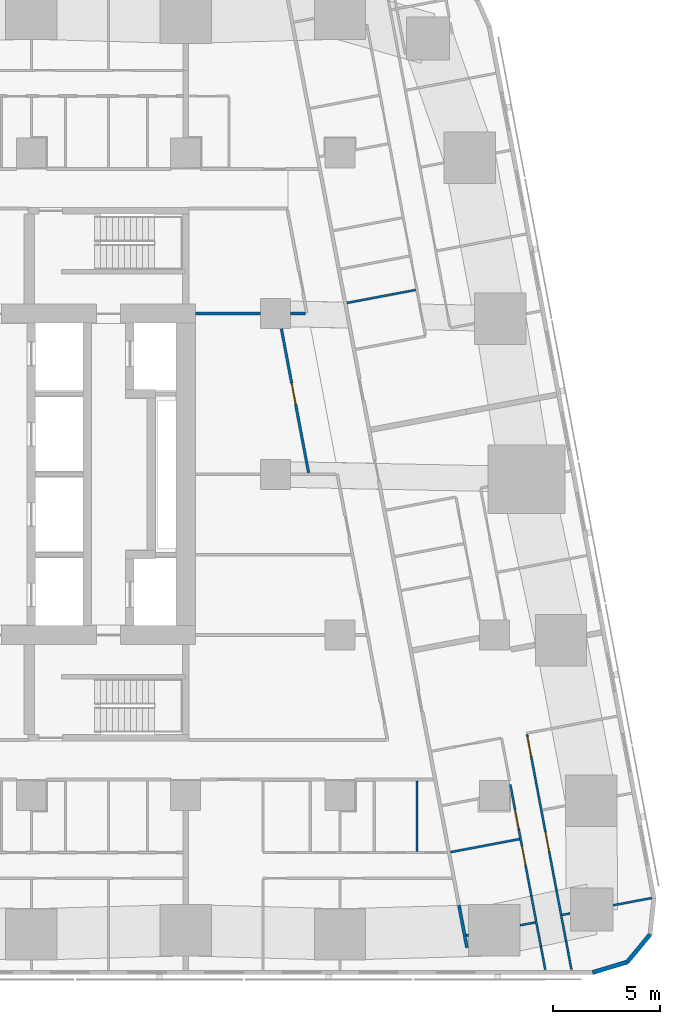
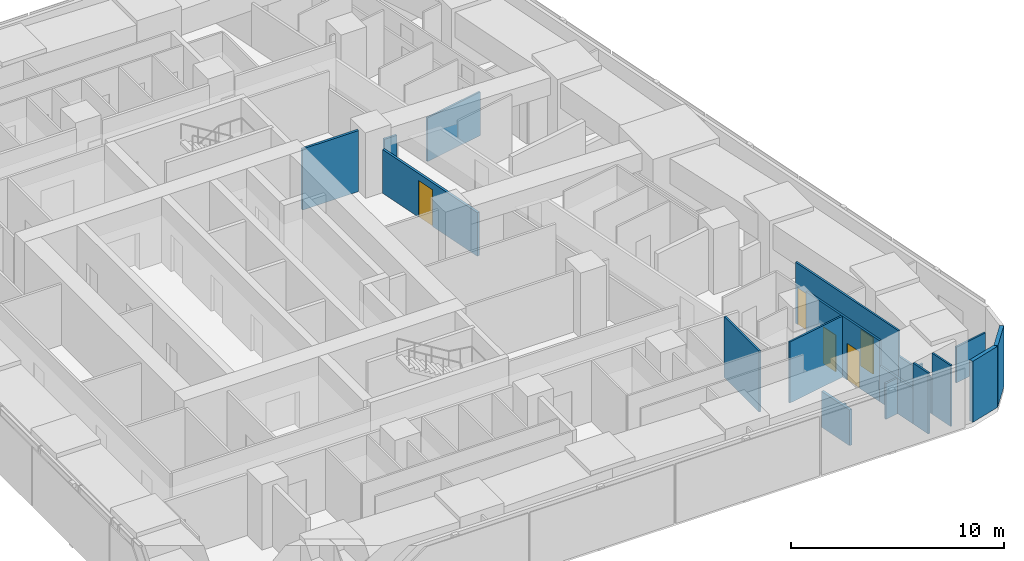
# One storey, part 13 of 19: 19 walls, 5 doors, 5 openings.
"""IFC4 building model written with IfcOpenShell, lengths in metres."""

from ifc_helpers import new_model, si_unit, direction, frame, frame_2d, origin, place, context, subcontext, project, spatial, rectangle, extrude, material, layer, layer_set, type_object, element, fill, save


model = new_model("IFC4")

# Units and contexts
model_context = context("Model", 3, precision=1e-05, world=origin(), true_north=direction((0.0, 1.0)))
body_context = subcontext(model_context, "Body", "Model", "MODEL_VIEW")
ifc_project = project(units=[si_unit("LENGTHUNIT", "METRE"), si_unit("AREAUNIT", "SQUARE_METRE"), si_unit("VOLUMEUNIT", "CUBIC_METRE"), si_unit("PLANEANGLEUNIT", "RADIAN"), si_unit("MASSUNIT", "GRAM", prefix="KILO")], contexts=[model_context])

# Site, building, storey
site_placement = place(None, origin())
site = spatial("IfcSite", under=ifc_project, at=site_placement, CompositionType="ELEMENT")
building_placement = place(site_placement, origin())
building = spatial("IfcBuilding", under=site, at=building_placement, Name="Sheger Commons Tower", CompositionType="ELEMENT")
storey_placement = place(building_placement, frame((0.0, 0.0, 201.199951171875)))
storey = spatial("IfcBuildingStorey", under=building, at=storey_placement, Name="L51", CompositionType="ELEMENT", Elevation=201.199951171875)

# Walls
ifc_material_1 = material(Name="Hollow concrete block masonry, skimmed both sides", Category="masonry")
ifc_layer_1 = layer(ifc_material_1, 0.14990234375)
ifc_layer_set_1 = layer_set([ifc_layer_1], Name="CORRIDOR WALL 150")
wall_type_1 = type_object("IfcWallType", Name="CORRIDOR WALL 150", PredefinedType="SOLIDWALL", material=ifc_layer_set_1)
wall_1_placement = place(storey_placement, frame((41.552001953125, 2.39208984375, 0.0), z_axis=(0.0, 0.0, 1.0), x_axis=(0.185535500323, -0.982637561932, 0.0)))
element("IfcWall", 1, at=wall_1_placement, inside=storey, type_object=wall_type_1, Name="Corridor wall L51", PredefinedType="SOLIDWALL", context=body_context, shape_type="SweptSolid", body=[
    extrude(rectangle(XDim=2.021240234375, YDim=0.14990234375, at=frame_2d((1.0107421875, 0.0))), origin(), (0.0, 0.0, 1.0), 2.050048828125),
])
ifc_material_2 = material(Name="Rendered concrete block masonry, dark grey", Category="masonry")
ifc_layer_2 = layer(ifc_material_2, 0.199951171875)
ifc_layer_set_2 = layer_set([ifc_layer_2], Name="FACADE WALL 200")
wall_type_2 = type_object("IfcWallType", Name="FACADE WALL 200", PredefinedType="SOLIDWALL", material=ifc_layer_set_2)
wall_2_placement = place(storey_placement, frame((47.791015625, -0.75, 0.0), z_axis=(0.0, 0.0, 1.0), x_axis=(0.957455232626, 0.288581838509, 0.0)))
element("IfcWall", 2, at=wall_2_placement, inside=storey, type_object=wall_type_2, Name="Facade wall L51", PredefinedType="SOLIDWALL", context=body_context, shape_type="SweptSolid", body=[
    extrude(rectangle(XDim=1.687744140625, YDim=0.199951171875, at=frame_2d((0.84375, 0.0))), origin(), (0.0, 0.0, 1.0), 3.5),
])
wall_3_placement = place(storey_placement, frame((49.406982421875, -0.262939453125, 0.0), z_axis=(0.0, 0.0, 1.0), x_axis=(0.638042593423, 0.770001070764, 0.0)))
element("IfcWall", 3, at=wall_3_placement, inside=storey, type_object=wall_type_2, Name="Facade wall L51", PredefinedType="SOLIDWALL", context=body_context, shape_type="SweptSolid", body=[
    extrude(rectangle(XDim=1.672607421875, YDim=0.199951171875, at=frame_2d((0.83642578125, 0.0))), origin(), (0.0, 0.0, 1.0), 3.5),
])
ifc_material_3 = material(Name="Gypsum board on steel studs", Category="steel")
ifc_layer_3 = layer(ifc_material_3, 0.10009765625)
ifc_layer_set_3 = layer_set([ifc_layer_3], Name="PARTITION 100")
wall_type_3 = type_object("IfcWallType", Name="PARTITION 100", PredefinedType="PARTITIONING", material=ifc_layer_set_3)
wall_4_placement = place(storey_placement, frame((39.60009765625, 4.89990234375, 0.0), z_axis=(0.0, 0.0, 1.0), x_axis=(0.0, 1.0, 0.0)))
element("IfcWall", 4, at=wall_4_placement, inside=storey, type_object=wall_type_3, Name="Partition L51", PredefinedType="PARTITIONING", context=body_context, shape_type="SweptSolid", body=[
    extrude(rectangle(XDim=3.275146484375, YDim=0.10009765625, at=frame_2d((1.6376953125, 0.0))), origin(), (0.0, 0.0, 1.0), 3.5),
])
wall_5_placement = place(storey_placement, frame((39.5380859375, 31.10400390625, 0.0), z_axis=(0.0, 0.0, 1.0), x_axis=(-0.982620626894, -0.185625169636, 0.0)))
element("IfcWall", 5, at=wall_5_placement, inside=storey, type_object=wall_type_3, Name="Partition L51", PredefinedType="PARTITIONING", context=body_context, shape_type="SweptSolid", body=[
    extrude(rectangle(XDim=3.27490234375, YDim=0.10009765625, at=frame_2d((1.637451171875, 0.0))), origin(), (0.0, 0.0, 1.0), 2.5),
])

# Wall, openings, doors
wall_6_placement = place(storey_placement, frame((44.72705078125, 10.365966796875, 0.0), z_axis=(0.0, 0.0, 1.0), x_axis=(0.185678775129, -0.982610498858, 0.0)))
wall_6 = element("IfcWall", 6, at=wall_6_placement, inside=storey, type_object=wall_type_3, Name="Partition L51", PredefinedType="PARTITIONING", context=body_context, shape_type="SweptSolid", body=[
    extrude(rectangle(XDim=7.421142578125, YDim=0.10009765625, at=frame_2d((3.71044921875, 0.0))), origin(), (0.0, 0.0, 1.0), 3.5),
])
opening_1_placement = place(wall_6_placement, frame((0.15087890625, 0.0, 0.0)))
opening_1 = element("IfcOpeningElement", 7, at=opening_1_placement, cuts=wall_6, Name="Opening D2", PredefinedType="OPENING", context=body_context, shape_type="SweptSolid", body=[
    extrude(rectangle(XDim=0.89990234375, YDim=2.10009765625, at=frame_2d((0.449951171875, 1.050048828125))), frame((0.0, 0.06005859375, 0.0), z_axis=(0.0, -1.0, 0.0), x_axis=(1.0, 0.0, 0.0)), (0.0, 0.0, 1.0), 0.1201171875),
])
opening_2_placement = place(wall_6_placement, frame((4.64990234375, 0.0, 0.0)))
opening_2 = element("IfcOpeningElement", 8, at=opening_2_placement, cuts=wall_6, Name="Opening D2", PredefinedType="OPENING", context=body_context, shape_type="SweptSolid", body=[
    extrude(rectangle(XDim=0.89990234375, YDim=2.10009765625, at=frame_2d((0.449951171875, 1.050048828125))), frame((0.0, 0.06005859375, 0.0), z_axis=(0.0, -1.0, 0.0), x_axis=(1.0, 0.0, 0.0)), (0.0, 0.0, 1.0), 0.1201171875),
])
ifc_material_4 = material(Name="Timber door set", Category="wood")
door_type_1 = type_object("IfcDoorType", Name="INTERNAL DOOR 900x2100", OperationType="NOTDEFINED", PredefinedType="DOOR", material=ifc_material_4)
door_1_placement = place(opening_1_placement, origin())
door_1 = element("IfcDoor", 9, at=door_1_placement, inside=storey, type_object=door_type_1, Name="Main bedroom door", OperationType="SINGLE_SWING_LEFT", OverallHeight=2.10009765625, OverallWidth=0.89990234375, PredefinedType="DOOR", context=body_context, shape_type="SweptSolid", body=[
    extrude(rectangle(XDim=0.89990234375, YDim=2.10009765625, at=frame_2d((0.449951171875, 1.050048828125))), frame((0.0, 0.02490234375, 0.0), z_axis=(0.0, -1.0, 0.0), x_axis=(1.0, 0.0, 0.0)), (0.0, 0.0, 1.0), 0.050048828125),
])
fill(opening_1, door_1)
door_2_placement = place(opening_2_placement, origin())
door_2 = element("IfcDoor", 10, at=door_2_placement, inside=storey, type_object=door_type_1, Name="Bedroom 2 door", OperationType="SINGLE_SWING_LEFT", OverallHeight=2.10009765625, OverallWidth=0.89990234375, PredefinedType="DOOR", context=body_context, shape_type="SweptSolid", body=[
    extrude(rectangle(XDim=0.89990234375, YDim=2.10009765625, at=frame_2d((0.449951171875, 1.050048828125))), frame((0.0, 0.02490234375, 0.0), z_axis=(0.0, -1.0, 0.0), x_axis=(1.0, 0.0, 0.0)), (0.0, 0.0, 1.0), 0.050048828125),
])
fill(opening_2, door_2)

# Walls
wall_7_placement = place(storey_placement, frame((46.10498046875, 3.073974609375, 0.0), z_axis=(0.0, 0.0, 1.0), x_axis=(0.185631845838, -0.982619365681, 0.0)))
element("IfcWall", 11, at=wall_7_placement, inside=storey, type_object=wall_type_3, Name="Partition L51", PredefinedType="PARTITIONING", context=body_context, shape_type="SweptSolid", body=[
    extrude(rectangle(XDim=2.40283203125, YDim=0.10009765625, at=frame_2d((1.201416015625, 0.0))), origin(), (0.0, 0.0, 1.0), 2.050048828125),
])
wall_8_placement = place(storey_placement, frame((46.551025390625, 0.712890625, 0.0), z_axis=(0.0, 0.0, 1.0), x_axis=(0.185407859198, -0.982661653748, 0.0)))
element("IfcWall", 12, at=wall_8_placement, inside=storey, type_object=wall_type_3, Name="Partition L51", PredefinedType="PARTITIONING", context=body_context, shape_type="SweptSolid", body=[
    extrude(rectangle(XDim=1.343017578125, YDim=0.10009765625, at=frame_2d((0.67138671875, 0.0))), origin(), (0.0, 0.0, 1.0), 3.5),
])

# Wall, openings, doors
wall_9_placement = place(storey_placement, frame((43.948974609375, 8.02001953125, 0.0), z_axis=(0.0, 0.0, 1.0), x_axis=(0.185656792073, -0.982614652627, 0.0)))
wall_9 = element("IfcWall", 13, at=wall_9_placement, inside=storey, type_object=wall_type_3, Name="Partition L51", PredefinedType="PARTITIONING", context=body_context, shape_type="SweptSolid", body=[
    extrude(rectangle(XDim=5.2890625, YDim=0.10009765625, at=frame_2d((2.64453125, 0.0))), origin(), (0.0, 0.0, 1.0), 3.5),
])
opening_3_placement = place(wall_9_placement, frame((1.199951171875, 0.0, 0.0)))
opening_3 = element("IfcOpeningElement", 14, at=opening_3_placement, cuts=wall_9, Name="Opening D2", PredefinedType="OPENING", context=body_context, shape_type="SweptSolid", body=[
    extrude(rectangle(XDim=0.89990234375, YDim=2.10009765625, at=frame_2d((0.449951171875, 1.050048828125))), frame((0.0, 0.06005859375, 0.0), z_axis=(0.0, -1.0, 0.0), x_axis=(1.0, 0.0, 0.0)), (0.0, 0.0, 1.0), 0.1201171875),
])
opening_4_placement = place(wall_9_placement, frame((2.93505859375, 0.0, 0.0)))
opening_4 = element("IfcOpeningElement", 15, at=opening_4_placement, cuts=wall_9, Name="Opening D2", PredefinedType="OPENING", context=body_context, shape_type="SweptSolid", body=[
    extrude(rectangle(XDim=0.89990234375, YDim=2.10009765625, at=frame_2d((0.449951171875, 1.050048828125))), frame((0.0, 0.06005859375, 0.0), z_axis=(0.0, -1.0, 0.0), x_axis=(1.0, 0.0, 0.0)), (0.0, 0.0, 1.0), 0.1201171875),
])
door_3_placement = place(opening_3_placement, origin())
door_3 = element("IfcDoor", 16, at=door_3_placement, inside=storey, type_object=door_type_1, Name="Bathroom door", OperationType="SINGLE_SWING_LEFT", OverallHeight=2.10009765625, OverallWidth=0.89990234375, PredefinedType="DOOR", context=body_context, shape_type="SweptSolid", body=[
    extrude(rectangle(XDim=0.89990234375, YDim=2.10009765625, at=frame_2d((0.449951171875, 1.050048828125))), frame((0.0, 0.02490234375, 0.0), z_axis=(0.0, -1.0, 0.0), x_axis=(1.0, 0.0, 0.0)), (0.0, 0.0, 1.0), 0.050048828125),
])
fill(opening_3, door_3)
door_4_placement = place(opening_4_placement, origin())
door_4 = element("IfcDoor", 17, at=door_4_placement, inside=storey, type_object=door_type_1, Name="Store door", OperationType="SINGLE_SWING_RIGHT", OverallHeight=2.10009765625, OverallWidth=0.89990234375, PredefinedType="DOOR", context=body_context, shape_type="SweptSolid", body=[
    extrude(rectangle(XDim=0.89990234375, YDim=2.10009765625, at=frame_2d((0.449951171875, 1.050048828125))), frame((0.0, 0.02490234375, 0.0), z_axis=(0.0, -1.0, 0.0), x_axis=(1.0, 0.0, 0.0)), (0.0, 0.0, 1.0), 0.050048828125),
])
fill(opening_4, door_4)

# Walls
wall_10_placement = place(storey_placement, frame((44.930908203125, 2.822998046875, 0.0), z_axis=(0.0, 0.0, 1.0), x_axis=(0.185631845838, -0.982619365681, 0.0)))
element("IfcWall", 18, at=wall_10_placement, inside=storey, type_object=wall_type_3, Name="Partition L51", PredefinedType="PARTITIONING", context=body_context, shape_type="SweptSolid", body=[
    extrude(rectangle(XDim=2.40283203125, YDim=0.10009765625, at=frame_2d((1.201416015625, 0.0))), origin(), (0.0, 0.0, 1.0), 2.050048828125),
])
wall_11_placement = place(storey_placement, frame((45.376953125, 0.4619140625, 0.0), z_axis=(0.0, 0.0, 1.0), x_axis=(0.185513480919, -0.982641719243, 0.0)))
element("IfcWall", 19, at=wall_11_placement, inside=storey, type_object=wall_type_3, Name="Partition L51", PredefinedType="PARTITIONING", context=body_context, shape_type="SweptSolid", body=[
    extrude(rectangle(XDim=1.094970703125, YDim=0.10009765625, at=frame_2d((0.54736328125, 0.0))), origin(), (0.0, 0.0, 1.0), 3.5),
])
wall_12_placement = place(storey_placement, frame((50.547119140625, 2.72607421875, 0.0), z_axis=(0.0, 0.0, 1.0), x_axis=(-0.982603988143, -0.185713226471, 0.0)))
element("IfcWall", 20, at=wall_12_placement, inside=storey, type_object=wall_type_3, Name="Partition L51", PredefinedType="PARTITIONING", context=body_context, shape_type="SweptSolid", body=[
    extrude(rectangle(XDim=1.82080078125, YDim=0.10009765625, at=frame_2d((0.910400390625, 0.0))), origin(), (0.0, 0.0, 1.0), 2.050048828125),
])
wall_13_placement = place(storey_placement, frame((46.738037109375, 2.006103515625, 0.0), z_axis=(0.0, 0.0, 1.0), x_axis=(-0.982820466874, -0.184564161994, 0.0)))
element("IfcWall", 21, at=wall_13_placement, inside=storey, type_object=wall_type_3, Name="Partition L51", PredefinedType="PARTITIONING", context=body_context, shape_type="SweptSolid", body=[
    extrude(rectangle(XDim=0.374267578125, YDim=0.10009765625, at=frame_2d((0.18701171875, 0.0))), origin(), (0.0, 0.0, 1.0), 2.050048828125),
])
wall_14_placement = place(storey_placement, frame((45.114013671875, 1.5869140625, 0.0), z_axis=(0.0, 0.0, 1.0), x_axis=(-0.982671022916, -0.185358195723, 0.0)))
element("IfcWall", 22, at=wall_14_placement, inside=storey, type_object=wall_type_3, Name="Partition L51", PredefinedType="PARTITIONING", context=body_context, shape_type="SweptSolid", body=[
    extrude(rectangle(XDim=0.716552734375, YDim=0.10009765625, at=frame_2d((0.3583984375, 0.0))), origin(), (0.0, 0.0, 1.0), 2.050048828125),
])
wall_15_placement = place(storey_placement, frame((41.989990234375, 0.9970703125, 0.0), z_axis=(0.0, 0.0, 1.0), x_axis=(-0.982382747416, -0.186880008506, 0.0)))
element("IfcWall", 23, at=wall_15_placement, inside=storey, type_object=wall_type_3, Name="Partition L51", PredefinedType="PARTITIONING", context=body_context, shape_type="SweptSolid", body=[
    extrude(rectangle(XDim=0.0966796875, YDim=0.10009765625, at=frame_2d((0.04833984375, 0.0))), origin(), (0.0, 0.0, 1.0), 2.050048828125),
])
wall_16_placement = place(storey_placement, frame((44.37890625, 5.47412109375, 0.0), z_axis=(0.0, 0.0, 1.0), x_axis=(-0.982607026909, -0.185697147715, 0.0)))
element("IfcWall", 24, at=wall_16_placement, inside=storey, type_object=wall_type_3, Name="Partition L51", PredefinedType="PARTITIONING", context=body_context, shape_type="SweptSolid", body=[
    extrude(rectangle(XDim=3.27490234375, YDim=0.10009765625, at=frame_2d((1.637451171875, 0.0))), origin(), (0.0, 0.0, 1.0), 3.5),
])

# Wall, opening, door
ifc_material_5 = material(Name="Gypsum board on steel studs, two layers each side, fire rated", Category="steel")
ifc_layer_4 = layer(ifc_material_5, 0.125)
ifc_layer_set_4 = layer_set([ifc_layer_4], Name="SERVICE WALL 125")
wall_type_4 = type_object("IfcWallType", Name="SERVICE WALL 125", PredefinedType="PARTITIONING", material=ifc_layer_set_4)
wall_17_placement = place(storey_placement, frame((34.534912109375, 22.573974609375, 0.0), z_axis=(0.0, 0.0, 1.0), x_axis=(-0.185576487128, 0.982629822174, 0.0)))
wall_17 = element("IfcWall", 25, at=wall_17_placement, inside=storey, type_object=wall_type_4, Name="Service room wall L51", PredefinedType="PARTITIONING", context=body_context, shape_type="SweptSolid", body=[
    extrude(rectangle(XDim=6.831787109375, YDim=0.125, at=frame_2d((3.416015625, 0.0))), origin(), (0.0, 0.0, 1.0), 2.5),
])
opening_5_placement = place(wall_17_placement, frame((3.240966796875, 0.0, 0.0)))
opening_5 = element("IfcOpeningElement", 26, at=opening_5_placement, cuts=wall_17, Name="Opening D4", PredefinedType="OPENING", context=body_context, shape_type="SweptSolid", body=[
    extrude(rectangle(XDim=1.0, YDim=2.10009765625, at=frame_2d((0.5, 1.050048828125))), frame((0.0, 0.072509765625, 0.0), z_axis=(0.0, -1.0, 0.0), x_axis=(1.0, 0.0, 0.0)), (0.0, 0.0, 1.0), 0.14501953125),
])
ifc_material_6 = material(Name="Steel door set, fire rated", Category="steel")
door_type_2 = type_object("IfcDoorType", Name="SERVICE DOOR 1000x2100", OperationType="NOTDEFINED", PredefinedType="DOOR", material=ifc_material_6)
door_5_placement = place(opening_5_placement, origin())
door_5 = element("IfcDoor", 27, at=door_5_placement, inside=storey, type_object=door_type_2, Name="Residents' lounge door", OperationType="SINGLE_SWING_RIGHT", OverallHeight=2.10009765625, OverallWidth=1.0, PredefinedType="DOOR", context=body_context, shape_type="SweptSolid", body=[
    extrude(rectangle(XDim=1.0, YDim=2.10009765625, at=frame_2d((0.5, 1.050048828125))), frame((0.0, 0.02490234375, 0.0), z_axis=(0.0, -1.0, 0.0), x_axis=(1.0, 0.0, 0.0)), (0.0, 0.0, 1.0), 0.050048828125),
])
fill(opening_5, door_5)

# Walls
wall_18_placement = place(storey_placement, frame((29.25, 30.0, 0.0), z_axis=(0.0, 0.0, 1.0), x_axis=(1.0, 0.0, 0.0)))
element("IfcWall", 28, at=wall_18_placement, inside=storey, type_object=wall_type_4, Name="Service room wall L51", PredefinedType="PARTITIONING", context=body_context, shape_type="SweptSolid", body=[
    extrude(rectangle(XDim=3.049072265625, YDim=0.125, at=frame_2d((1.5244140625, 0.0))), origin(), (0.0, 0.0, 1.0), 3.5),
])
wall_19_placement = place(storey_placement, frame((33.700927734375, 30.0, 0.0), z_axis=(0.0, 0.0, 1.0), x_axis=(1.0, 0.0, 0.0)))
element("IfcWall", 29, at=wall_19_placement, inside=storey, type_object=wall_type_4, Name="Service room wall L51", PredefinedType="PARTITIONING", context=body_context, shape_type="SweptSolid", body=[
    extrude(rectangle(XDim=0.678955078125, YDim=0.125, at=frame_2d((0.33935546875, 0.0))), origin(), (0.0, 0.0, 1.0), 2.5),
])

save(model, "model.ifc")
